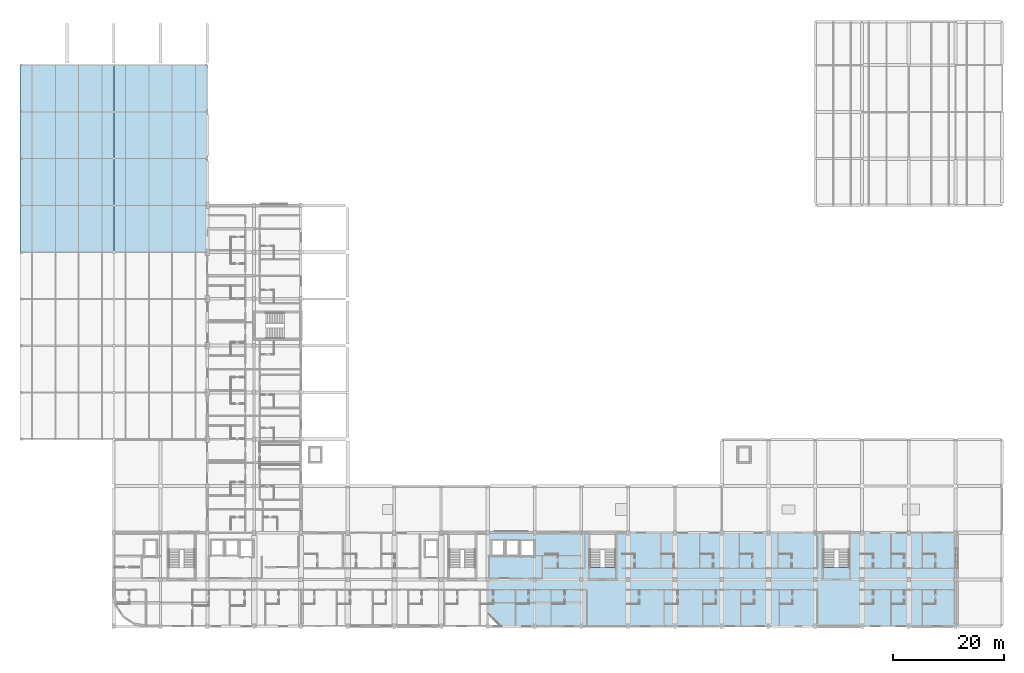
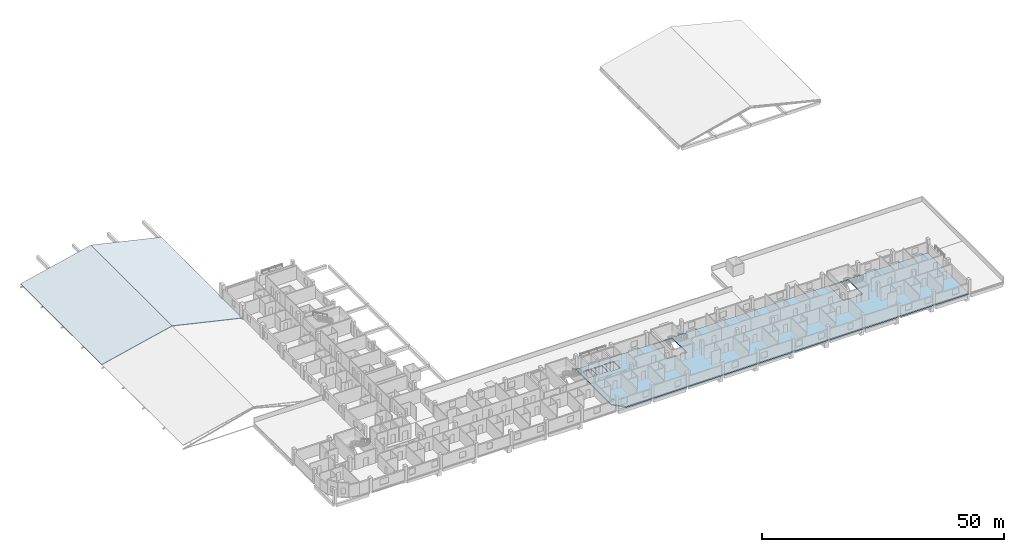
# One storey, part 14 of 42: 3 slabs.
"""IFC4 building model written with IfcOpenShell, lengths in metres."""

from ifc_helpers import new_model, si_unit, derived_unit, direction, frame, origin, place, context, subcontext, project, spatial, polyline, outline, extrude, material, layer, layer_set, type_object, element, save


model = new_model("IFC4")

# Units and contexts
model_context = context("Model", 3, precision=1e-05, world=origin(), true_north=direction((0.0, 1.0)))
body_context = subcontext(model_context, "Body", "Model", "MODEL_VIEW")
ifc_project = project(units=[si_unit("LENGTHUNIT", "METRE"), si_unit("AREAUNIT", "SQUARE_METRE"), si_unit("VOLUMEUNIT", "CUBIC_METRE"), si_unit("PLANEANGLEUNIT", "RADIAN"), si_unit("MASSUNIT", "GRAM", prefix="KILO"), derived_unit("THERMALTRANSMITTANCEUNIT", [(si_unit("POWERUNIT", "WATT"), 1), (si_unit("LENGTHUNIT", "METRE"), -2), (si_unit("THERMODYNAMICTEMPERATUREUNIT", "KELVIN"), -1)])], contexts=[model_context])

# Site, building, storey
site_placement = place(None, origin())
site = spatial("IfcSite", under=ifc_project, at=site_placement, CompositionType="ELEMENT")
building_placement = place(site_placement, origin())
building = spatial("IfcBuilding", under=site, at=building_placement, Name="Barrovel Congress Hotel", CompositionType="ELEMENT")
storey_placement = place(building_placement, frame((0.0, 0.0, 18.300048828125)))
storey = spatial("IfcBuildingStorey", under=building, at=storey_placement, Name="L04", CompositionType="ELEMENT", Elevation=18.300048828125)

# Slabs
ifc_material_1 = material(Name="Concrete C40", Category="concrete")
ifc_layer_1 = layer(ifc_material_1, 0.300048828125)
ifc_layer_set_1 = layer_set([ifc_layer_1], Name="Concrete C40")
slab_type_1 = type_object("IfcSlabType", Name="SL-F300", PredefinedType="FLOOR", material=ifc_layer_set_1)
slab_placement = place(storey_placement, frame((0.0, 0.0, -0.300048828125)))
element("IfcSlab", 1, at=slab_placement, inside=storey, type_object=slab_type_1, Name="SLAB:L04:HOT-S2", PredefinedType="FLOOR", context=body_context, shape_type="SweptSolid", body=[
    extrude(outline(polyline([(86.199951171875, 4.199951171875), (168.0, 4.199951171875), (168.0, 21.0), (84.0, 21.0), (84.0, 6.39990234375), (86.199951171875, 4.199951171875)]), holes=[polyline([(102.300048828125, 14.780029296875), (102.300048828125, 20.919921875), (106.89990234375, 20.919921875), (106.89990234375, 14.780029296875), (102.300048828125, 14.780029296875)]), polyline([(144.300048828125, 14.780029296875), (144.300048828125, 20.919921875), (148.89990234375, 20.919921875), (148.89990234375, 14.780029296875), (144.300048828125, 14.780029296875)]), polyline([(84.800048828125, 17.050048828125), (84.800048828125, 19.550048828125), (86.800048828125, 19.550048828125), (86.800048828125, 17.050048828125), (84.800048828125, 17.050048828125)]), polyline([(87.39990234375, 17.050048828125), (87.39990234375, 19.550048828125), (89.39990234375, 19.550048828125), (89.39990234375, 17.050048828125), (87.39990234375, 17.050048828125)]), polyline([(90.0, 16.800048828125), (90.0, 19.60009765625), (92.199951171875, 19.60009765625), (92.199951171875, 16.800048828125), (90.0, 16.800048828125)])]), origin(), (0.0, 0.0, 1.0), 0.300048828125),
])
ifc_material_2 = material(Name="Concrete C35", Category="concrete")
ifc_layer_2 = layer(ifc_material_2, 0.159912109375)
ifc_layer_set_2 = layer_set([ifc_layer_2], Name="Concrete C35")
slab_type_2 = type_object("IfcSlabType", Name="SL-R160", PredefinedType="ROOF", material=ifc_layer_set_2)
for number, where, z_axis, x_axis, name in (
    (2, (0.0, 71.39990234375, 0.0), (-0.224954645868, 0.0, 0.97436923561), (0.97436923561, 0.0, 0.224954645868), "SLAB:V1-ROOF-W2"),
    (3, (16.800048828125, 71.39990234375, 3.878662109375), (0.224954645868, 0.0, 0.97436923561), (0.97436923561, 0.0, -0.224954645868), "SLAB:V1-ROOF-E2"),
):
    element("IfcSlab", number, at=place(storey_placement, frame(where, z_axis=z_axis, x_axis=x_axis)), inside=storey, type_object=slab_type_2, Name=name, PredefinedType="ROOF", context=body_context, shape_type="SweptSolid", body=[
        extrude(outline(polyline([(0.0, 0.0), (17.241973796119908, 0.0), (17.241973796119908, 33.60009765625), (0.0, 33.60009765625), (0.0, 0.0)])), origin(), (0.0, 0.0, -1.0), 0.159912109375),
    ])

save(model, "model.ifc")
